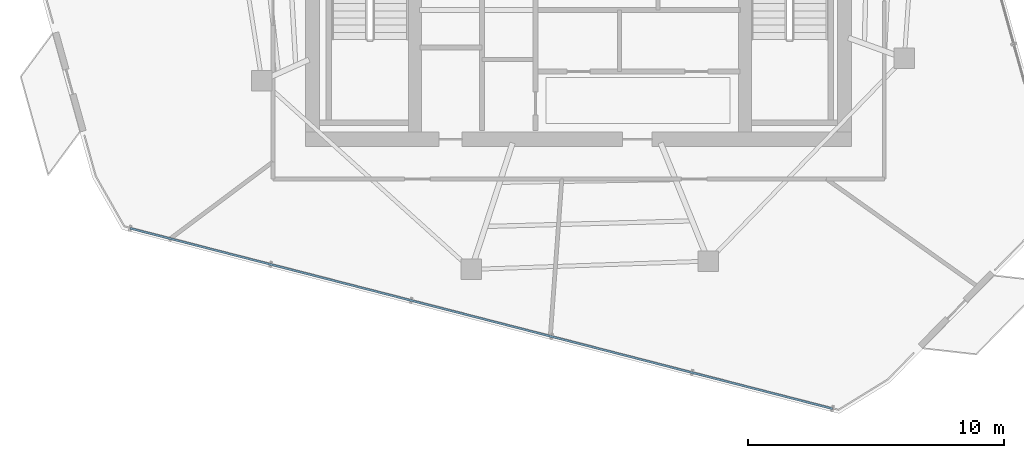
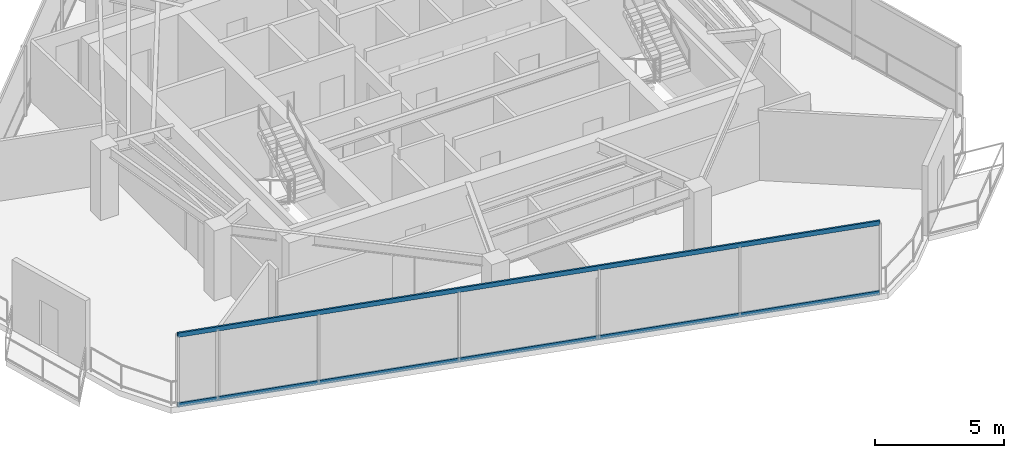
# One storey, part 3 of 18: 2 members, 1 element without a shape of its own.
"""IFC4 building model written with IfcOpenShell, lengths in metres."""

from ifc_helpers import new_model, si_unit, direction, frame, origin, origin_2d, place, context, subcontext, project, spatial, hollow_rectangle, extrude, material, layer, layer_set, material_profile, profile_set, type_object, element, aggregate, save


model = new_model("IFC4")

# Units and contexts
model_context = context("Model", 3, precision=1e-05, world=origin(), true_north=direction((0.0, 1.0)))
body_context = subcontext(model_context, "Body", "Model", "MODEL_VIEW")
ifc_project = project(units=[si_unit("LENGTHUNIT", "METRE"), si_unit("AREAUNIT", "SQUARE_METRE"), si_unit("VOLUMEUNIT", "CUBIC_METRE"), si_unit("PLANEANGLEUNIT", "RADIAN"), si_unit("MASSUNIT", "GRAM", prefix="KILO")], contexts=[model_context])

# Site, building, storey
site_placement = place(None, origin())
site = spatial("IfcSite", under=ifc_project, at=site_placement, CompositionType="ELEMENT")
building_placement = place(site_placement, origin())
building = spatial("IfcBuilding", under=site, at=building_placement, Name="Qarnah Convention Tower", CompositionType="ELEMENT")
storey_placement = place(building_placement, frame((0.0, 0.0, 239.10009765625)))
storey = spatial("IfcBuildingStorey", under=building, at=storey_placement, Name="L64", CompositionType="ELEMENT", Elevation=239.10009765625)

# Curtain wall, members
ifc_material_1 = material(Name="Tempered Low-E dark glass", Category="glass")
ifc_layer = layer(ifc_material_1, 0.176025390625)
ifc_layer_set = layer_set([ifc_layer], Name="Tempered Low-E dark glass")
curtain_wall_type = type_object("IfcCurtainWallType", Name="CWS-05", PredefinedType="NOTDEFINED", material=ifc_layer_set)
curtain_wall_placement = place(storey_placement, origin())
curtain_wall = element("IfcCurtainWall", 1, at=curtain_wall_placement, inside=storey, type_object=curtain_wall_type, Name="L64 unitised curtain wall CW-L64-F2", PredefinedType="NOTDEFINED")
ifc_material_2 = material(Name="Black anodised aluminium", Category="aluminium")
ifc_material_profile = material_profile(ifc_material_2, hollow_rectangle(XDim=0.080078125, YDim=0.2099609375, WallThickness=0.0048828125, at=origin_2d()), Name="TRN-80X210")
ifc_profile_set = profile_set([ifc_material_profile], Name="Black anodised aluminium")
member_type = type_object("IfcMemberType", Name="TRN-T5", PredefinedType="USERDEFINED", material=ifc_profile_set)
member_1_placement = place(storey_placement, frame((47.1240234375, 8.068115234375, 0.0), z_axis=(-0.968579956211, 0.248702369162, 0.0), x_axis=(-0.248702369162, -0.968579956211, 0.0)))
member_1 = element("IfcMember", 2, at=member_1_placement, type_object=member_type, Name="CW-L64-F2 transom 1", ObjectType="TRANSOM", PredefinedType="USERDEFINED", context=body_context, shape_type="SweptSolid", body=[
    extrude(hollow_rectangle(XDim=0.080078125, YDim=0.2099609375, WallThickness=0.0048828125, at=origin_2d()), origin(), (0.0, 0.0, 1.0), 28.342529296875),
])
member_2_placement = place(storey_placement, frame((47.1240234375, 8.068115234375, 3.31982421875), z_axis=(-0.968579956211, 0.248702369162, 0.0), x_axis=(-0.248702369162, -0.968579956211, 0.0)))
member_2 = element("IfcMember", 3, at=member_2_placement, type_object=member_type, Name="CW-L64-F2 transom 2", ObjectType="TRANSOM", PredefinedType="USERDEFINED", context=body_context, shape_type="SweptSolid", body=[
    extrude(hollow_rectangle(XDim=0.080078125, YDim=0.2099609375, WallThickness=0.0048828125, at=origin_2d()), origin(), (0.0, 0.0, 1.0), 28.342529296875),
])
aggregate(curtain_wall, [member_1, member_2])

save(model, "model.ifc")
